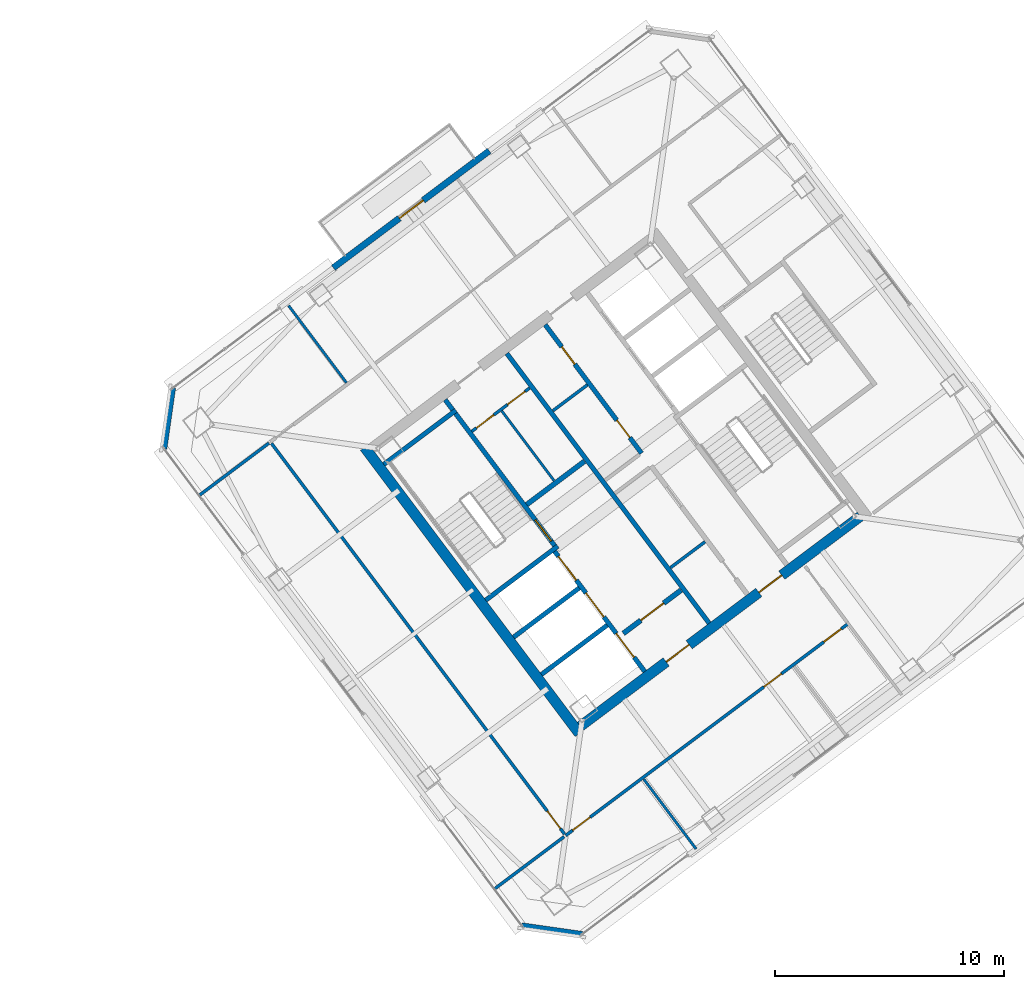
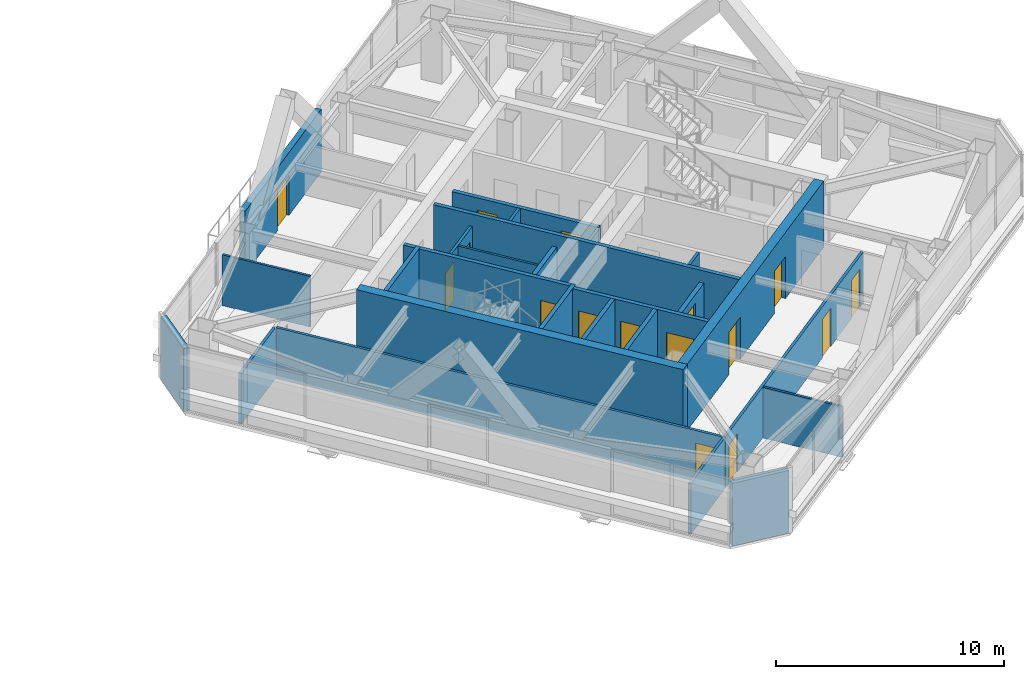
# One storey, part 32 of 39: 25 walls, 16 doors, 16 openings.
"""IFC4 building model written with IfcOpenShell, lengths in metres."""

from ifc_helpers import new_model, si_unit, direction, frame, frame_2d, origin, place, context, subcontext, project, spatial, rectangle, extrude, material, layer, layer_set, type_object, element, fill, save


model = new_model("IFC4")

# Units and contexts
model_context = context("Model", 3, precision=1e-05, world=origin(), true_north=direction((0.0, 1.0)))
body_context = subcontext(model_context, "Body", "Model", "MODEL_VIEW")
ifc_project = project(units=[si_unit("LENGTHUNIT", "METRE"), si_unit("AREAUNIT", "SQUARE_METRE"), si_unit("VOLUMEUNIT", "CUBIC_METRE"), si_unit("PLANEANGLEUNIT", "RADIAN"), si_unit("MASSUNIT", "GRAM", prefix="KILO")], contexts=[model_context])

# Site, building, storey
site_placement = place(None, origin())
site = spatial("IfcSite", under=ifc_project, at=site_placement, CompositionType="ELEMENT")
building_placement = place(site_placement, origin())
building = spatial("IfcBuilding", under=site, at=building_placement, Name="Tashvorn Skyway Center", CompositionType="ELEMENT")
storey_placement = place(building_placement, frame((0.0, 0.0, 239.699951171875)))
storey = spatial("IfcBuildingStorey", under=building, at=storey_placement, Name="L65", CompositionType="ELEMENT", Elevation=239.699951171875)

# Wall
ifc_material_1 = material(Name="Concrete C50/60", Category="concrete")
ifc_layer_1 = layer(ifc_material_1, 0.449951171875)
ifc_layer_set_1 = layer_set([ifc_layer_1], Name="Concrete C50/60")
wall_type_1 = type_object("IfcWallType", Name="WALL-CORE-450", PredefinedType="SHEAR", material=ifc_layer_set_1)
wall_1_placement = place(storey_placement, frame((112.39599609375, 21.047119140625, 0.0), z_axis=(0.0, 0.0, 1.0), x_axis=(-0.600005007985, 0.799996243986, 0.0)))
element("IfcWall", 1, at=wall_1_placement, inside=storey, type_object=wall_type_1, Name="Tower 2 L65 West Core Shear Wall", PredefinedType="SHEAR", context=body_context, shape_type="SweptSolid", body=[
    extrude(rectangle(XDim=15.60009765625, YDim=0.449951171875, at=frame_2d((7.800048828125, 0.0))), origin(), (0.0, 0.0, 1.0), 3.550048828125),
])

# Wall, openings, doors
wall_2_placement = place(storey_placement, frame((124.64892578125, 30.51806640625, 0.0), z_axis=(0.0, 0.0, 1.0), x_axis=(-0.8, -0.6, 0.0)))
wall_2 = element("IfcWall", 2, at=wall_2_placement, inside=storey, type_object=wall_type_1, Name="Tower 2 L65 South Core Shear Wall", PredefinedType="SHEAR", context=body_context, shape_type="SweptSolid", body=[
    extrude(rectangle(XDim=15.260009765625, YDim=0.449951171875, at=frame_2d((7.6298828125, 0.0))), origin(), (0.0, 0.0, 1.0), 3.550048828125),
])
opening_1_placement = place(wall_2_placement, frame((9.330078125, 0.0, 0.0)))
opening_1 = element("IfcOpeningElement", 3, at=opening_1_placement, cuts=wall_2, Name="Opening D-FFL-1250", PredefinedType="OPENING", context=body_context, shape_type="SweptSolid", body=[
    extrude(rectangle(XDim=1.25, YDim=2.25, at=frame_2d((0.625, 1.125))), frame((0.0, 0.23486328125, 0.0), z_axis=(0.0, -1.0, 0.0), x_axis=(1.0, 0.0, 0.0)), (0.0, 0.0, 1.0), 0.469970703125),
])
opening_2_placement = place(wall_2_placement, frame((4.280029296875, 0.0, 0.0)))
opening_2 = element("IfcOpeningElement", 4, at=opening_2_placement, cuts=wall_2, Name="Opening D-FFL-1250", PredefinedType="OPENING", context=body_context, shape_type="SweptSolid", body=[
    extrude(rectangle(XDim=1.25, YDim=2.25, at=frame_2d((0.625, 1.125))), frame((0.0, 0.23486328125, 0.0), z_axis=(0.0, -1.0, 0.0), x_axis=(1.0, 0.0, 0.0)), (0.0, 0.0, 1.0), 0.469970703125),
])
ifc_material_2 = material(Name="Hollow galvanized steel fire door assembly", Category="steel")
door_type_1 = type_object("IfcDoorType", Name="DOOR-FFL-1250", OperationType="NOTDEFINED", PredefinedType="DOOR", material=ifc_material_2)
door_1_placement = place(opening_1_placement, origin())
door_1 = element("IfcDoor", 5, at=door_1_placement, inside=storey, type_object=door_type_1, Name="Tower 2 L65 Core South Firefighting Exit Door", OperationType="SINGLE_SWING_LEFT", OverallHeight=2.25, OverallWidth=1.25, PredefinedType="DOOR", context=body_context, shape_type="SweptSolid", body=[
    extrude(rectangle(XDim=1.25, YDim=2.25, at=frame_2d((0.625, 1.125))), frame((0.0, 0.02490234375, 0.0), z_axis=(0.0, -1.0, 0.0), x_axis=(1.0, 0.0, 0.0)), (0.0, 0.0, 1.0), 0.050048828125),
])
fill(opening_1, door_1)
door_2_placement = place(opening_2_placement, origin())
door_2 = element("IfcDoor", 6, at=door_2_placement, inside=storey, type_object=door_type_1, Name="Tower 2 L65 Core South Lift Lobby Door", OperationType="SINGLE_SWING_RIGHT", OverallHeight=2.25, OverallWidth=1.25, PredefinedType="DOOR", context=body_context, shape_type="SweptSolid", body=[
    extrude(rectangle(XDim=1.25, YDim=2.25, at=frame_2d((0.625, 1.125))), frame((0.0, 0.02490234375, 0.0), z_axis=(0.0, -1.0, 0.0), x_axis=(1.0, 0.0, 0.0)), (0.0, 0.0, 1.0), 0.050048828125),
])
fill(opening_2, door_2)

# Wall, opening, door
ifc_material_3 = material(Name="Precast concrete C40/50", Category="concrete")
ifc_layer_2 = layer(ifc_material_3, 0.280029296875)
ifc_layer_set_2 = layer_set([ifc_layer_2], Name="Precast concrete C40/50")
wall_type_2 = type_object("IfcWallType", Name="WALL-EXT-280", PredefinedType="SOLIDWALL", material=ifc_layer_set_2)
wall_3_placement = place(storey_placement, frame((101.672119140625, 41.35400390625, 0.0), z_axis=(0.0, 0.0, 1.0), x_axis=(0.799986212866, 0.600018382406, 0.0)))
wall_3 = element("IfcWall", 7, at=wall_3_placement, inside=storey, type_object=wall_type_2, Name="Tower 2 L65 North Terrace Portal Wall", PredefinedType="SOLIDWALL", context=body_context, shape_type="SweptSolid", body=[
    extrude(rectangle(XDim=8.5, YDim=0.280029296875, at=frame_2d((4.25, 0.0))), origin(), (0.0, 0.0, 1.0), 3.3701171875),
])
opening_3_placement = place(wall_3_placement, frame((3.60009765625, 0.0, 0.0)))
opening_3 = element("IfcOpeningElement", 8, at=opening_3_placement, cuts=wall_3, Name="Opening D-TER-1300", PredefinedType="OPENING", context=body_context, shape_type="SweptSolid", body=[
    extrude(rectangle(XDim=1.300048828125, YDim=2.14990234375, at=frame_2d((0.64990234375, 1.074951171875))), frame((0.0, 0.14990234375, 0.0), z_axis=(0.0, -1.0, 0.0), x_axis=(1.0, 0.0, 0.0)), (0.0, 0.0, 1.0), 0.300048828125),
])
ifc_material_4 = material(Name="Thermally broken bronze-anodized aluminium 6063-T6", Category="aluminium")
door_type_2 = type_object("IfcDoorType", Name="DOOR-TERR-1300", OperationType="NOTDEFINED", PredefinedType="DOOR", material=ifc_material_4)
door_3_placement = place(opening_3_placement, origin())
door_3 = element("IfcDoor", 9, at=door_3_placement, inside=storey, type_object=door_type_2, Name="Tower 2 L65 Terrace Access Door", OperationType="SINGLE_SWING_RIGHT", OverallHeight=2.14990234375, OverallWidth=1.300048828125, PredefinedType="DOOR", context=body_context, shape_type="SweptSolid", body=[
    extrude(rectangle(XDim=1.300048828125, YDim=2.14990234375, at=frame_2d((0.64990234375, 1.074951171875))), frame((0.0, 0.02490234375, 0.0), z_axis=(0.0, -1.0, 0.0), x_axis=(1.0, 0.0, 0.0)), (0.0, 0.0, 1.0), 0.050048828125),
])
fill(opening_3, door_3)

# Walls
for number, where, z_axis, x_axis, name in (
    (10, (112.5400390625, 12.280029296875, 0.0), (0.0, 0.0, 1.0), (-0.989956760759, 0.141370477216, 0.0), "Tower 2 L65 SW Precast Chamfer Wall"),
    (11, (94.280029296875, 33.4599609375, 0.0), (0.0, 0.0, 1.0), (0.141370477216, 0.989956760759, 0.0), "Tower 2 L65 NW Precast Chamfer Wall"),
):
    element("IfcWall", number, at=place(storey_placement, frame(where, z_axis=z_axis, x_axis=x_axis)), inside=storey, type_object=wall_type_2, Name=name, PredefinedType="SOLIDWALL", context=body_context, shape_type="SweptSolid", body=[
        extrude(rectangle(XDim=2.687255859375, YDim=0.280029296875, at=frame_2d((1.34375, 0.0))), origin(), (0.0, 0.0, 1.0), 3.3701171875),
    ])
ifc_material_5 = material(Name="Concrete C40/50", Category="concrete")
ifc_layer_3 = layer(ifc_material_5, 0.219970703125)
ifc_layer_set_3 = layer_set([ifc_layer_3], Name="Concrete C40/50")
wall_type_3 = type_object("IfcWallType", Name="WALL-FFL-220", PredefinedType="SOLIDWALL", material=ifc_layer_set_3)
wall_4_placement = place(storey_placement, frame((110.10400390625, 31.028076171875, 0.0), z_axis=(0.0, 0.0, 1.0), x_axis=(0.800018601094, 0.59997519774, 0.0)))
element("IfcWall", 12, at=wall_4_placement, inside=storey, type_object=wall_type_3, Name="Tower 2 L65 Firefighting Lobby North Wall", PredefinedType="SOLIDWALL", context=body_context, shape_type="SweptSolid", body=[
    extrude(rectangle(XDim=3.14990234375, YDim=0.219970703125, at=frame_2d((1.574951171875, 0.0))), origin(), (0.0, 0.0, 1.0), 2.72314453125),
])

# Wall, opening, door
wall_5_placement = place(storey_placement, frame((114.31591796875, 25.412109375, 0.0), z_axis=(0.0, 0.0, 1.0), x_axis=(0.800018601094, 0.59997519774, 0.0)))
wall_5 = element("IfcWall", 13, at=wall_5_placement, inside=storey, type_object=wall_type_3, Name="Tower 2 L65 Firefighting Lobby South Wall", PredefinedType="SOLIDWALL", context=body_context, shape_type="SweptSolid", body=[
    extrude(rectangle(XDim=3.14990234375, YDim=0.219970703125, at=frame_2d((1.574951171875, 0.0))), origin(), (0.0, 0.0, 1.0), 2.72314453125),
])
opening_4_placement = place(wall_5_placement, frame((0.949951171875, 0.0, 0.0)))
opening_4 = element("IfcOpeningElement", 14, at=opening_4_placement, cuts=wall_5, Name="Opening D-FFL-1250", PredefinedType="OPENING", context=body_context, shape_type="SweptSolid", body=[
    extrude(rectangle(XDim=1.25, YDim=2.25, at=frame_2d((0.625, 1.125))), frame((0.0, 0.119873046875, 0.0), z_axis=(0.0, -1.0, 0.0), x_axis=(1.0, 0.0, 0.0)), (0.0, 0.0, 1.0), 0.239990234375),
])
door_4_placement = place(opening_4_placement, origin())
door_4 = element("IfcDoor", 15, at=door_4_placement, inside=storey, type_object=door_type_1, Name="Tower 2 L65 Firefighting Lobby Egress Door", OperationType="SINGLE_SWING_LEFT", OverallHeight=2.25, OverallWidth=1.25, PredefinedType="DOOR", context=body_context, shape_type="SweptSolid", body=[
    extrude(rectangle(XDim=1.25, YDim=2.25, at=frame_2d((0.625, 1.125))), frame((0.0, 0.02490234375, 0.0), z_axis=(0.0, -1.0, 0.0), x_axis=(1.0, 0.0, 0.0)), (0.0, 0.0, 1.0), 0.050048828125),
])
fill(opening_4, door_4)

# Walls
ifc_material_6 = material(Name="Gypsum board on cold-formed steel stud framing", Category="steel")
ifc_layer_4 = layer(ifc_material_6, 0.110107421875)
ifc_layer_set_4 = layer_set([ifc_layer_4], Name="Gypsum board on cold-formed steel stud framing")
wall_type_4 = type_object("IfcWallType", Name="WALL-PART-110", PredefinedType="PARTITIONING", material=ifc_layer_set_4)
wall_6_placement = place(storey_placement, frame((102.241943359375, 36.343994140625, 0.0), z_axis=(0.0, 0.0, 1.0), x_axis=(-0.59999069958, 0.80000697523, 0.0)))
element("IfcWall", 16, at=wall_6_placement, inside=storey, type_object=wall_type_4, Name="Tower 2 L65 North Suite Partition 1", PredefinedType="PARTITIONING", context=body_context, shape_type="SweptSolid", body=[
    extrude(rectangle(XDim=4.2001953125, YDim=0.110107421875, at=frame_2d((2.10009765625, 0.0))), origin(), (0.0, 0.0, 1.0), 2.72314453125),
])
wall_7_placement = place(storey_placement, frame((117.488037109375, 16.01611328125, 0.0), z_axis=(0.0, 0.0, 1.0), x_axis=(-0.600030839559, 0.799976869402, 0.0)))
element("IfcWall", 17, at=wall_7_placement, inside=storey, type_object=wall_type_4, Name="Tower 2 L65 South Suite Partition 1", PredefinedType="PARTITIONING", context=body_context, shape_type="SweptSolid", body=[
    extrude(rectangle(XDim=3.7998046875, YDim=0.110107421875, at=frame_2d((1.89990234375, 0.0))), origin(), (0.0, 0.0, 1.0), 2.72314453125),
])

# Wall, openings, doors
ifc_layer_5 = layer(ifc_material_6, 0.135009765625)
ifc_layer_set_5 = layer_set([ifc_layer_5], Name="Gypsum board on cold-formed steel stud framing")
wall_type_5 = type_object("IfcWallType", Name="WALL-PART-135", PredefinedType="PARTITIONING", material=ifc_layer_set_5)
wall_8_placement = place(storey_placement, frame((124.1201171875, 25.840087890625, 0.0), z_axis=(0.0, 0.0, 1.0), x_axis=(-0.800001902384, -0.599997463479, 0.0)))
wall_8 = element("IfcWall", 18, at=wall_8_placement, inside=storey, type_object=wall_type_5, Name="Tower 2 L65 South Suite Wall", PredefinedType="PARTITIONING", context=body_context, shape_type="SweptSolid", body=[
    extrude(rectangle(XDim=15.400146484375, YDim=0.135009765625, at=frame_2d((7.7001953125, 0.0))), origin(), (0.0, 0.0, 1.0), 2.72314453125),
])
opening_5_placement = place(wall_8_placement, frame((14.070068359375, 0.0, 0.0)))
opening_5 = element("IfcOpeningElement", 19, at=opening_5_placement, cuts=wall_8, Name="Opening D-INT-950", PredefinedType="OPENING", context=body_context, shape_type="SweptSolid", body=[
    extrude(rectangle(XDim=0.949951171875, YDim=2.050048828125, at=frame_2d((0.47509765625, 1.02490234375))), frame((0.0, 0.077392578125, 0.0), z_axis=(0.0, -1.0, 0.0), x_axis=(1.0, 0.0, 0.0)), (0.0, 0.0, 1.0), 0.155029296875),
])
opening_6_placement = place(wall_8_placement, frame((3.6396484375, 0.0, 0.0)))
opening_6 = element("IfcOpeningElement", 20, at=opening_6_placement, cuts=wall_8, Name="Opening D-INT-950", PredefinedType="OPENING", context=body_context, shape_type="SweptSolid", body=[
    extrude(rectangle(XDim=0.949951171875, YDim=2.050048828125, at=frame_2d((0.47509765625, 1.02490234375))), frame((0.0, 0.077392578125, 0.0), z_axis=(0.0, -1.0, 0.0), x_axis=(1.0, 0.0, 0.0)), (0.0, 0.0, 1.0), 0.155029296875),
])
opening_7_placement = place(wall_8_placement, frame((0.3798828125, 0.0, 0.0)))
opening_7 = element("IfcOpeningElement", 21, at=opening_7_placement, cuts=wall_8, Name="Opening D-INT-950", PredefinedType="OPENING", context=body_context, shape_type="SweptSolid", body=[
    extrude(rectangle(XDim=0.949951171875, YDim=2.050048828125, at=frame_2d((0.47509765625, 1.02490234375))), frame((0.0, 0.077392578125, 0.0), z_axis=(0.0, -1.0, 0.0), x_axis=(1.0, 0.0, 0.0)), (0.0, 0.0, 1.0), 0.155029296875),
])
ifc_material_7 = material(Name="Solid-core architectural oak veneer door")
door_type_3 = type_object("IfcDoorType", Name="DOOR-INT-950", OperationType="NOTDEFINED", PredefinedType="DOOR", material=ifc_material_7)
door_5_placement = place(opening_5_placement, origin())
door_5 = element("IfcDoor", 22, at=door_5_placement, inside=storey, type_object=door_type_3, Name="Tower 2 L65 Gallery Showroom Door", OperationType="SINGLE_SWING_LEFT", OverallHeight=2.050048828125, OverallWidth=0.949951171875, PredefinedType="DOOR", context=body_context, shape_type="SweptSolid", body=[
    extrude(rectangle(XDim=0.949951171875, YDim=2.050048828125, at=frame_2d((0.47509765625, 1.02490234375))), frame((0.0, 0.02490234375, 0.0), z_axis=(0.0, -1.0, 0.0), x_axis=(1.0, 0.0, 0.0)), (0.0, 0.0, 1.0), 0.050048828125),
])
fill(opening_5, door_5)
door_6_placement = place(opening_6_placement, origin())
door_6 = element("IfcDoor", 23, at=door_6_placement, inside=storey, type_object=door_type_3, Name="Tower 2 L65 Reading Lounge Door", OperationType="SINGLE_SWING_RIGHT", OverallHeight=2.050048828125, OverallWidth=0.949951171875, PredefinedType="DOOR", context=body_context, shape_type="SweptSolid", body=[
    extrude(rectangle(XDim=0.949951171875, YDim=2.050048828125, at=frame_2d((0.47509765625, 1.02490234375))), frame((0.0, 0.02490234375, 0.0), z_axis=(0.0, -1.0, 0.0), x_axis=(1.0, 0.0, 0.0)), (0.0, 0.0, 1.0), 0.050048828125),
])
fill(opening_6, door_6)
door_7_placement = place(opening_7_placement, origin())
door_7 = element("IfcDoor", 24, at=door_7_placement, inside=storey, type_object=door_type_3, Name="Tower 2 L65 Reading Lounge Door", OperationType="SINGLE_SWING_LEFT", OverallHeight=2.050048828125, OverallWidth=0.949951171875, PredefinedType="DOOR", context=body_context, shape_type="SweptSolid", body=[
    extrude(rectangle(XDim=0.949951171875, YDim=2.050048828125, at=frame_2d((0.47509765625, 1.02490234375))), frame((0.0, 0.02490234375, 0.0), z_axis=(0.0, -1.0, 0.0), x_axis=(1.0, 0.0, 0.0)), (0.0, 0.0, 1.0), 0.050048828125),
])
fill(opening_7, door_7)

# Wall, opening, door
wall_9_placement = place(storey_placement, frame((111.751953125, 16.6640625, 0.0), z_axis=(0.0, 0.0, 1.0), x_axis=(-0.599998165212, 0.800001376088, 0.0)))
wall_9 = element("IfcWall", 25, at=wall_9_placement, inside=storey, type_object=wall_type_5, Name="Tower 2 L65 West Inner Suite Wall", PredefinedType="PARTITIONING", context=body_context, shape_type="SweptSolid", body=[
    extrude(rectangle(XDim=21.2900390625, YDim=0.135009765625, at=frame_2d((10.64501953125, 0.0))), origin(), (0.0, 0.0, 1.0), 2.72314453125),
])
opening_8_placement = place(wall_9_placement, frame((0.300048828125, 0.0, 0.0)))
opening_8 = element("IfcOpeningElement", 26, at=opening_8_placement, cuts=wall_9, Name="Opening D-INT-950", PredefinedType="OPENING", context=body_context, shape_type="SweptSolid", body=[
    extrude(rectangle(XDim=0.949951171875, YDim=2.050048828125, at=frame_2d((0.47509765625, 1.02490234375))), frame((0.0, 0.077392578125, 0.0), z_axis=(0.0, -1.0, 0.0), x_axis=(1.0, 0.0, 0.0)), (0.0, 0.0, 1.0), 0.155029296875),
])
door_8_placement = place(opening_8_placement, origin())
door_8 = element("IfcDoor", 27, at=door_8_placement, inside=storey, type_object=door_type_3, Name="Tower 2 L65 Public Restroom Door", OperationType="SINGLE_SWING_LEFT", OverallHeight=2.050048828125, OverallWidth=0.949951171875, PredefinedType="DOOR", context=body_context, shape_type="SweptSolid", body=[
    extrude(rectangle(XDim=0.949951171875, YDim=2.050048828125, at=frame_2d((0.47509765625, 1.02490234375))), frame((0.0, 0.02490234375, 0.0), z_axis=(0.0, -1.0, 0.0), x_axis=(1.0, 0.0, 0.0)), (0.0, 0.0, 1.0), 0.050048828125),
])
fill(opening_8, door_8)

# Walls
for number, where, z_axis, x_axis, name in (
    (28, (98.865966796875, 33.7119140625, 0.0), (0.0, 0.0, 1.0), (-0.8, -0.6, 0.0), "Tower 2 L65 West Suite North Wall"),
    (29, (108.696044921875, 14.27197265625, 0.0), (0.0, 0.0, 1.0), (0.8, 0.6, 0.0), "Tower 2 L65 West Suite South Wall"),
):
    element("IfcWall", number, at=place(storey_placement, frame(where, z_axis=z_axis, x_axis=x_axis)), inside=storey, type_object=wall_type_5, Name=name, PredefinedType="PARTITIONING", context=body_context, shape_type="SweptSolid", body=[
        extrude(rectangle(XDim=3.800048828125, YDim=0.135009765625, at=frame_2d((1.89990234375, 0.0))), origin(), (0.0, 0.0, 1.0), 2.72314453125),
    ])
ifc_layer_6 = layer(ifc_material_6, 0.110107421875)
ifc_layer_set_6 = layer_set([ifc_layer_6], Name="Gypsum board on cold-formed steel stud framing")
wall_type_6 = type_object("IfcWallType", Name="WALL-RATED-110", PredefinedType="PARTITIONING", material=ifc_layer_set_6)
wall_10_placement = place(storey_placement, frame((111.2958984375, 32.072021484375, 0.0), z_axis=(0.0, 0.0, 1.0), x_axis=(-0.59995887973, 0.800030838552, 0.0)))
element("IfcWall", 30, at=wall_10_placement, inside=storey, type_object=wall_type_6, Name="Tower 2 L65 Core Split Partition", PredefinedType="PARTITIONING", context=body_context, shape_type="SweptSolid", body=[
    extrude(rectangle(XDim=3.7998046875, YDim=0.110107421875, at=frame_2d((1.89990234375, 0.0))), origin(), (0.0, 0.0, 1.0), 2.72314453125),
])

# Wall, openings, doors
ifc_layer_7 = layer(ifc_material_6, 0.135009765625)
ifc_layer_set_7 = layer_set([ifc_layer_7], Name="Gypsum board on cold-formed steel stud framing")
wall_type_7 = type_object("IfcWallType", Name="WALL-RATED-135", PredefinedType="PARTITIONING", material=ifc_layer_set_7)
wall_11_placement = place(storey_placement, frame((107.7099609375, 34.219970703125, 0.0), z_axis=(0.0, 0.0, 1.0), x_axis=(0.799981399002, 0.60002480053, 0.0)))
wall_11 = element("IfcWall", 31, at=wall_11_placement, inside=storey, type_object=wall_type_7, Name="Tower 2 L65 Core Service Lobby Wall", PredefinedType="PARTITIONING", context=body_context, shape_type="SweptSolid", body=[
    extrude(rectangle(XDim=3.150146484375, YDim=0.135009765625, at=frame_2d((1.5751953125, 0.0))), origin(), (0.0, 0.0, 1.0), 2.72314453125),
])
opening_9_placement = place(wall_11_placement, frame((0.25, 0.0, 0.0)))
opening_9 = element("IfcOpeningElement", 32, at=opening_9_placement, cuts=wall_11, Name="Opening D-RT-950", PredefinedType="OPENING", context=body_context, shape_type="SweptSolid", body=[
    extrude(rectangle(XDim=0.949951171875, YDim=2.050048828125, at=frame_2d((0.47509765625, 1.02490234375))), frame((0.0, 0.077392578125, 0.0), z_axis=(0.0, -1.0, 0.0), x_axis=(1.0, 0.0, 0.0)), (0.0, 0.0, 1.0), 0.155029296875),
])
opening_10_placement = place(wall_11_placement, frame((1.949951171875, 0.0, 0.0)))
opening_10 = element("IfcOpeningElement", 33, at=opening_10_placement, cuts=wall_11, Name="Opening D-RT-950", PredefinedType="OPENING", context=body_context, shape_type="SweptSolid", body=[
    extrude(rectangle(XDim=0.949951171875, YDim=2.050048828125, at=frame_2d((0.47509765625, 1.02490234375))), frame((0.0, 0.077392578125, 0.0), z_axis=(0.0, -1.0, 0.0), x_axis=(1.0, 0.0, 0.0)), (0.0, 0.0, 1.0), 0.155029296875),
])
door_type_4 = type_object("IfcDoorType", Name="DOOR-RATED-950", OperationType="NOTDEFINED", PredefinedType="DOOR", material=ifc_material_2)
door_9_placement = place(opening_9_placement, origin())
door_9 = element("IfcDoor", 34, at=door_9_placement, inside=storey, type_object=door_type_4, Name="Tower 2 L65 Core Accessible WC Door", OperationType="SINGLE_SWING_LEFT", OverallHeight=2.050048828125, OverallWidth=0.949951171875, PredefinedType="DOOR", context=body_context, shape_type="SweptSolid", body=[
    extrude(rectangle(XDim=0.949951171875, YDim=2.050048828125, at=frame_2d((0.47509765625, 1.02490234375))), frame((0.0, 0.02490234375, 0.0), z_axis=(0.0, -1.0, 0.0), x_axis=(1.0, 0.0, 0.0)), (0.0, 0.0, 1.0), 0.050048828125),
])
fill(opening_9, door_9)
door_10_placement = place(opening_10_placement, origin())
door_10 = element("IfcDoor", 35, at=door_10_placement, inside=storey, type_object=door_type_4, Name="Tower 2 L65 Core Cleaner Store Door", OperationType="SINGLE_SWING_RIGHT", OverallHeight=2.050048828125, OverallWidth=0.949951171875, PredefinedType="DOOR", context=body_context, shape_type="SweptSolid", body=[
    extrude(rectangle(XDim=0.949951171875, YDim=2.050048828125, at=frame_2d((0.47509765625, 1.02490234375))), frame((0.0, 0.02490234375, 0.0), z_axis=(0.0, -1.0, 0.0), x_axis=(1.0, 0.0, 0.0)), (0.0, 0.0, 1.0), 0.050048828125),
])
fill(opening_10, door_10)

# Walls
for number, where, z_axis, x_axis, name in (
    (36, (116.3759765625, 28.281982421875, 0.0), (0.0, 0.0, 1.0), (0.8, 0.6, 0.0), "Tower 2 L65 Freed Core Partition"),
    (37, (111.24609375, 35.1220703125, 0.0), (0.0, 0.0, 1.0), (0.8, 0.6, 0.0), "Tower 2 L65 Freed Mid-Rise Partition"),
):
    element("IfcWall", number, at=place(storey_placement, frame(where, z_axis=z_axis, x_axis=x_axis)), inside=storey, type_object=wall_type_7, Name=name, PredefinedType="PARTITIONING", context=body_context, shape_type="SweptSolid", body=[
        extrude(rectangle(XDim=1.8798828125, YDim=0.135009765625, at=frame_2d((0.93994140625, 0.0))), origin(), (0.0, 0.0, 1.0), 2.72314453125),
    ])
ifc_layer_8 = layer(ifc_material_5, 0.199951171875)
ifc_layer_set_8 = layer_set([ifc_layer_8], Name="Concrete C40/50")
wall_type_8 = type_object("IfcWallType", Name="WALL-SHAFT-200", PredefinedType="SOLIDWALL", material=ifc_layer_set_8)
for number, where, z_axis, x_axis, name in (
    (38, (110.74609375, 23.6220703125, 0.0), (0.0, 0.0, 1.0), (0.800008183455, 0.599989088572, 0.0), "Tower 2 L65 FSAE Shaft Divider"),
    (39, (109.528076171875, 25.24609375, 0.0), (0.0, 0.0, 1.0), (0.800008183455, 0.599989088572, 0.0), "Tower 2 L65 FSAE Shaft Divider"),
):
    element("IfcWall", number, at=place(storey_placement, frame(where, z_axis=z_axis, x_axis=x_axis)), inside=storey, type_object=wall_type_8, Name=name, PredefinedType="SOLIDWALL", context=body_context, shape_type="SweptSolid", body=[
        extrude(rectangle(XDim=3.580078125, YDim=0.199951171875, at=frame_2d((1.7900390625, 0.0))), origin(), (0.0, 0.0, 1.0), 3.3701171875),
    ])

# Wall, openings, doors
wall_12_placement = place(storey_placement, frame((115.110107421875, 33.27001953125, 0.0), z_axis=(0.0, 0.0, 1.0), x_axis=(-0.600011160345, 0.79999162962, 0.0)))
wall_12 = element("IfcWall", 40, at=wall_12_placement, inside=storey, type_object=wall_type_8, Name="Tower 2 L65 Mid-Rise Core Wall", PredefinedType="SOLIDWALL", context=body_context, shape_type="SweptSolid", body=[
    extrude(rectangle(XDim=7.000244140625, YDim=0.199951171875, at=frame_2d((3.5, 0.0))), origin(), (0.0, 0.0, 1.0), 2.72314453125),
])
opening_11_placement = place(wall_12_placement, frame((0.85009765625, 0.0, 0.0)))
opening_11 = element("IfcOpeningElement", 41, at=opening_11_placement, cuts=wall_12, Name="Opening D-RT-950", PredefinedType="OPENING", context=body_context, shape_type="SweptSolid", body=[
    extrude(rectangle(XDim=0.949951171875, YDim=2.050048828125, at=frame_2d((0.47509765625, 1.02490234375))), frame((0.0, 0.10986328125, 0.0), z_axis=(0.0, -1.0, 0.0), x_axis=(1.0, 0.0, 0.0)), (0.0, 0.0, 1.0), 0.219970703125),
])
opening_12_placement = place(wall_12_placement, frame((4.85009765625, 0.0, 0.0)))
opening_12 = element("IfcOpeningElement", 42, at=opening_12_placement, cuts=wall_12, Name="Opening D-RT-950", PredefinedType="OPENING", context=body_context, shape_type="SweptSolid", body=[
    extrude(rectangle(XDim=0.949951171875, YDim=2.050048828125, at=frame_2d((0.47509765625, 1.02490234375))), frame((0.0, 0.10986328125, 0.0), z_axis=(0.0, -1.0, 0.0), x_axis=(1.0, 0.0, 0.0)), (0.0, 0.0, 1.0), 0.219970703125),
])
door_11_placement = place(opening_11_placement, origin())
door_11 = element("IfcDoor", 43, at=door_11_placement, inside=storey, type_object=door_type_4, Name="Tower 2 L65 Core IT Room Door", OperationType="SINGLE_SWING_RIGHT", OverallHeight=2.050048828125, OverallWidth=0.949951171875, PredefinedType="DOOR", context=body_context, shape_type="SweptSolid", body=[
    extrude(rectangle(XDim=0.949951171875, YDim=2.050048828125, at=frame_2d((0.47509765625, 1.02490234375))), frame((0.0, 0.02490234375, 0.0), z_axis=(0.0, -1.0, 0.0), x_axis=(1.0, 0.0, 0.0)), (0.0, 0.0, 1.0), 0.050048828125),
])
fill(opening_11, door_11)
door_12_placement = place(opening_12_placement, origin())
door_12 = element("IfcDoor", 44, at=door_12_placement, inside=storey, type_object=door_type_4, Name="Tower 2 L65 Core Catering Pantry Door", OperationType="SINGLE_SWING_LEFT", OverallHeight=2.050048828125, OverallWidth=0.949951171875, PredefinedType="DOOR", context=body_context, shape_type="SweptSolid", body=[
    extrude(rectangle(XDim=0.949951171875, YDim=2.050048828125, at=frame_2d((0.47509765625, 1.02490234375))), frame((0.0, 0.02490234375, 0.0), z_axis=(0.0, -1.0, 0.0), x_axis=(1.0, 0.0, 0.0)), (0.0, 0.0, 1.0), 0.050048828125),
])
fill(opening_12, door_12)

# Wall, opening, door
ifc_layer_9 = layer(ifc_material_5, 0.199951171875)
ifc_layer_set_9 = layer_set([ifc_layer_9], Name="Concrete C40/50")
wall_type_9 = type_object("IfcWallType", Name="WALL-STSHF-200", PredefinedType="SHEAR", material=ifc_layer_set_9)
wall_13_placement = place(storey_placement, frame((111.43994140625, 29.080078125, 0.0), z_axis=(0.0, 0.0, 1.0), x_axis=(-0.59999041401, 0.800007189403, 0.0)))
wall_13 = element("IfcWall", 45, at=wall_13_placement, inside=storey, type_object=wall_type_9, Name="Tower 2 L65 Stair 1 Enclosure Wall", PredefinedType="SHEAR", context=body_context, shape_type="SweptSolid", body=[
    extrude(rectangle(XDim=8.14990234375, YDim=0.199951171875, at=frame_2d((4.074951171875, 0.0))), origin(), (0.0, 0.0, 1.0), 3.3701171875),
])
opening_13_placement = place(wall_13_placement, frame((0.449951171875, 0.0, 0.0)))
opening_13 = element("IfcOpeningElement", 46, at=opening_13_placement, cuts=wall_13, Name="Opening D-ST-1150", PredefinedType="OPENING", context=body_context, shape_type="SweptSolid", body=[
    extrude(rectangle(XDim=1.14990234375, YDim=2.199951171875, at=frame_2d((0.574951171875, 1.10009765625))), frame((0.0, 0.10986328125, 0.0), z_axis=(0.0, -1.0, 0.0), x_axis=(1.0, 0.0, 0.0)), (0.0, 0.0, 1.0), 0.219970703125),
])
door_type_5 = type_object("IfcDoorType", Name="DOOR-STAIR-1150", OperationType="NOTDEFINED", PredefinedType="DOOR", material=ifc_material_2)
door_13_placement = place(opening_13_placement, origin())
door_13 = element("IfcDoor", 47, at=door_13_placement, inside=storey, type_object=door_type_5, Name="Tower 2 L65 Exit Stair 1 Door", OperationType="SINGLE_SWING_RIGHT", OverallHeight=2.199951171875, OverallWidth=1.14990234375, PredefinedType="DOOR", context=body_context, shape_type="SweptSolid", body=[
    extrude(rectangle(XDim=1.14990234375, YDim=2.199951171875, at=frame_2d((0.574951171875, 1.10009765625))), frame((0.0, 0.02490234375, 0.0), z_axis=(0.0, -1.0, 0.0), x_axis=(1.0, 0.0, 0.0)), (0.0, 0.0, 1.0), 0.050048828125),
])
fill(opening_13, door_13)

# Walls
for number, where, z_axis, x_axis, name in (
    (48, (108.31591796875, 26.862060546875, 0.0), (0.0, 0.0, 1.0), (0.800014909178, 0.599980120581, 0.0), "Tower 2 L65 Stair 1 South Wall"),
    (49, (103.8759765625, 32.781982421875, 0.0), (0.0, 0.0, 1.0), (0.800014909178, 0.599980120581, 0.0), "Tower 2 L65 Stair 1 North Wall"),
):
    element("IfcWall", number, at=place(storey_placement, frame(where, z_axis=z_axis, x_axis=x_axis)), inside=storey, type_object=wall_type_9, Name=name, PredefinedType="SHEAR", context=body_context, shape_type="SweptSolid", body=[
        extrude(rectangle(XDim=3.929931640625, YDim=0.199951171875, at=frame_2d((1.96484375, 0.0))), origin(), (0.0, 0.0, 1.0), 3.3701171875),
    ])
wall_14_placement = place(storey_placement, frame((118.05810546875, 25.85595703125, 0.0), z_axis=(0.0, 0.0, 1.0), x_axis=(-0.600002657301, 0.799998007018, 0.0)))
element("IfcWall", 50, at=wall_14_placement, inside=storey, type_object=wall_type_9, Name="Tower 2 L65 Firefighting Lobby East Smoke Barrier", PredefinedType="SHEAR", context=body_context, shape_type="SweptSolid", body=[
    extrude(rectangle(XDim=14.699951171875, YDim=0.199951171875, at=frame_2d((7.35009765625, 0.0))), origin(), (0.0, 0.0, 1.0), 3.3701171875),
])

# Wall, openings, doors
wall_15_placement = place(storey_placement, frame((115.25, 23.75, 0.0), z_axis=(0.0, 0.0, 1.0), x_axis=(-0.599994036198, 0.800004472816, 0.0)))
wall_15 = element("IfcWall", 51, at=wall_15_placement, inside=storey, type_object=wall_type_9, Name="Tower 2 L65 FSAE and Goods Shaft Front Wall", PredefinedType="SHEAR", context=body_context, shape_type="SweptSolid", body=[
    extrude(rectangle(XDim=6.550048828125, YDim=0.199951171875, at=frame_2d((3.27490234375, 0.0))), origin(), (0.0, 0.0, 1.0), 3.3701171875),
])
opening_14_placement = place(wall_15_placement, frame((4.97509765625, 0.0, 0.0)))
opening_14 = element("IfcOpeningElement", 52, at=opening_14_placement, cuts=wall_15, Name="Opening LD-FF-T2-1-L65", PredefinedType="OPENING", context=body_context, shape_type="SweptSolid", body=[
    extrude(rectangle(XDim=1.300048828125, YDim=2.25, at=frame_2d((0.64990234375, 1.125))), frame((0.0, 0.10986328125, 0.0), z_axis=(0.0, -1.0, 0.0), x_axis=(1.0, 0.0, 0.0)), (0.0, 0.0, 1.0), 0.219970703125),
])
opening_15_placement = place(wall_15_placement, frame((2.97509765625, 0.0, 0.0)))
opening_15 = element("IfcOpeningElement", 53, at=opening_15_placement, cuts=wall_15, Name="Opening LD-FF-T2-2-L65", PredefinedType="OPENING", context=body_context, shape_type="SweptSolid", body=[
    extrude(rectangle(XDim=1.300048828125, YDim=2.25, at=frame_2d((0.64990234375, 1.125))), frame((0.0, 0.10986328125, 0.0), z_axis=(0.0, -1.0, 0.0), x_axis=(1.0, 0.0, 0.0)), (0.0, 0.0, 1.0), 0.219970703125),
])
opening_16_placement = place(wall_15_placement, frame((0.77490234375, 0.0, 0.0)))
opening_16 = element("IfcOpeningElement", 54, at=opening_16_placement, cuts=wall_15, Name="Opening LD-GD-T2-1-L65", PredefinedType="OPENING", context=body_context, shape_type="SweptSolid", body=[
    extrude(rectangle(XDim=1.300048828125, YDim=2.25, at=frame_2d((0.64990234375, 1.125))), frame((0.0, 0.10986328125, 0.0), z_axis=(0.0, -1.0, 0.0), x_axis=(1.0, 0.0, 0.0)), (0.0, 0.0, 1.0), 0.219970703125),
])
ifc_material_8 = material(Name="Stainless steel heavy-duty landing door", Category="steel")
door_type_6 = type_object("IfcDoorType", Name="DOOR-LIFT-1300", OperationType="SLIDING_TO_LEFT", PredefinedType="DOOR", material=ifc_material_8)
door_14_placement = place(opening_14_placement, origin())
door_14 = element("IfcDoor", 55, at=door_14_placement, inside=storey, type_object=door_type_6, Name="Lift FF-T2-1 L65 Landing Door", OperationType="SLIDING_TO_LEFT", OverallHeight=2.25, OverallWidth=1.300048828125, PredefinedType="DOOR", context=body_context, shape_type="SweptSolid", body=[
    extrude(rectangle(XDim=1.300048828125, YDim=2.25, at=frame_2d((0.64990234375, 1.125))), frame((0.0, 0.02490234375, 0.0), z_axis=(0.0, -1.0, 0.0), x_axis=(1.0, 0.0, 0.0)), (0.0, 0.0, 1.0), 0.050048828125),
])
fill(opening_14, door_14)
door_15_placement = place(opening_15_placement, origin())
door_15 = element("IfcDoor", 56, at=door_15_placement, inside=storey, type_object=door_type_6, Name="Lift FF-T2-2 L65 Landing Door", OperationType="SLIDING_TO_LEFT", OverallHeight=2.25, OverallWidth=1.300048828125, PredefinedType="DOOR", context=body_context, shape_type="SweptSolid", body=[
    extrude(rectangle(XDim=1.300048828125, YDim=2.25, at=frame_2d((0.64990234375, 1.125))), frame((0.0, 0.02490234375, 0.0), z_axis=(0.0, -1.0, 0.0), x_axis=(1.0, 0.0, 0.0)), (0.0, 0.0, 1.0), 0.050048828125),
])
fill(opening_15, door_15)
door_16_placement = place(opening_16_placement, origin())
door_16 = element("IfcDoor", 57, at=door_16_placement, inside=storey, type_object=door_type_6, Name="Lift GD-T2-1 L65 Landing Door", OperationType="SLIDING_TO_LEFT", OverallHeight=2.25, OverallWidth=1.300048828125, PredefinedType="DOOR", context=body_context, shape_type="SweptSolid", body=[
    extrude(rectangle(XDim=1.300048828125, YDim=2.25, at=frame_2d((0.64990234375, 1.125))), frame((0.0, 0.02490234375, 0.0), z_axis=(0.0, -1.0, 0.0), x_axis=(1.0, 0.0, 0.0)), (0.0, 0.0, 1.0), 0.050048828125),
])
fill(opening_16, door_16)

save(model, "model.ifc")
